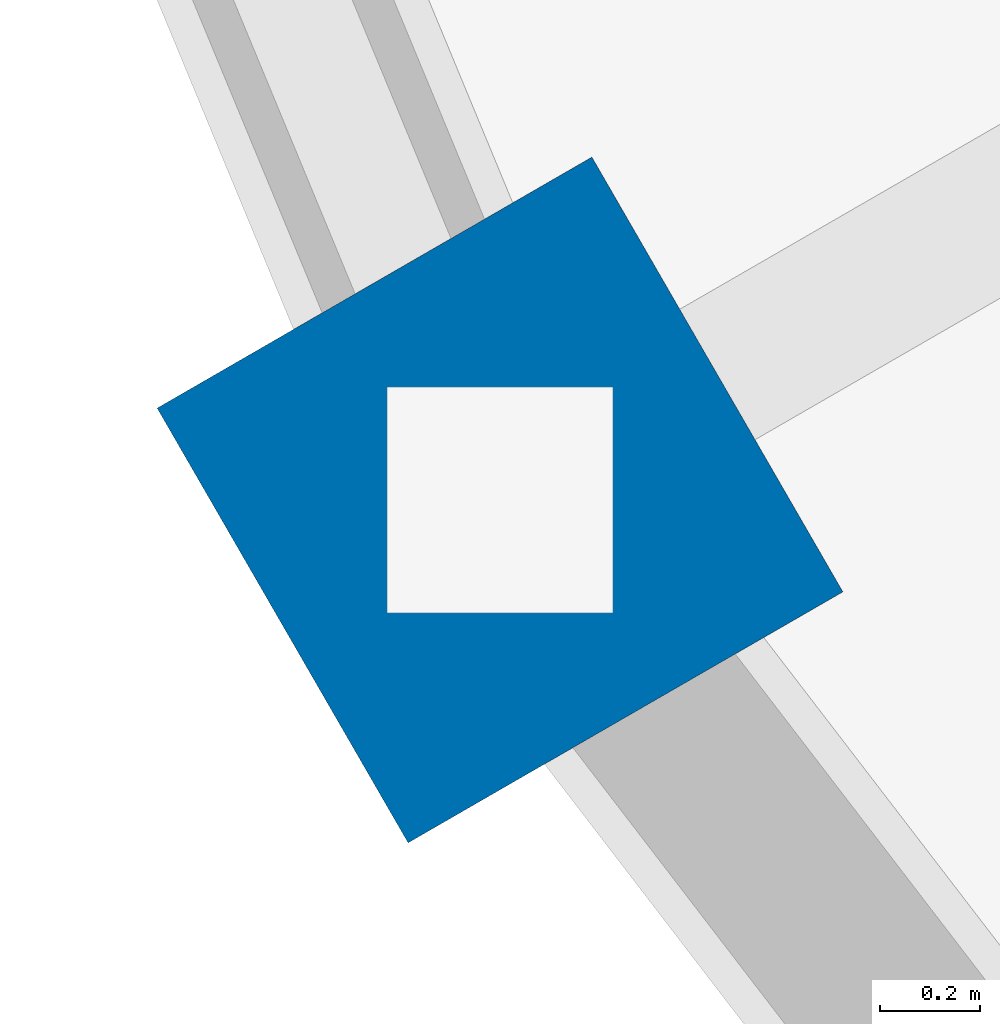
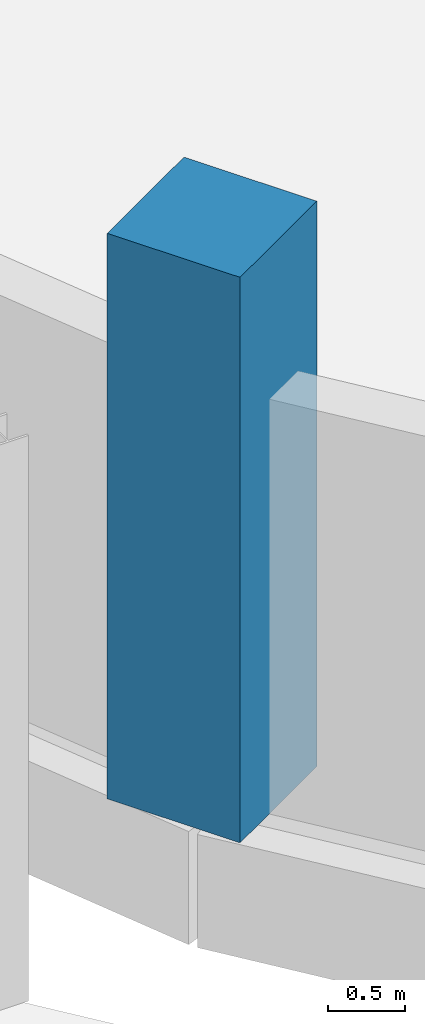
# One storey, part 3 of 122: 1 column.
"""IFC4 building model written with IfcOpenShell, lengths in metres."""

from ifc_helpers import new_model, si_unit, direction, frame, origin, origin_2d, place, context, subcontext, project, spatial, rectangle, extrude, material, material_profile, profile_set, type_object, element, save


model = new_model("IFC4")

# Units and contexts
model_context = context("Model", 3, precision=1e-05, world=origin(), true_north=direction((0.0, 1.0)))
body_context = subcontext(model_context, "Body", "Model", "MODEL_VIEW")
ifc_project = project(units=[si_unit("LENGTHUNIT", "METRE"), si_unit("AREAUNIT", "SQUARE_METRE"), si_unit("VOLUMEUNIT", "CUBIC_METRE"), si_unit("PLANEANGLEUNIT", "RADIAN"), si_unit("MASSUNIT", "GRAM", prefix="KILO")], contexts=[model_context])

# Site, building, storey
site_placement = place(None, origin())
site = spatial("IfcSite", under=ifc_project, at=site_placement, CompositionType="ELEMENT")
building_placement = place(site_placement, origin())
building = spatial("IfcBuilding", under=site, at=building_placement, Name="Sohan Crest Arena", CompositionType="ELEMENT")
storey_placement = place(building_placement, origin())
storey = spatial("IfcBuildingStorey", under=building, at=storey_placement, Name="L00", CompositionType="ELEMENT", Elevation=0.0)

# Column
ifc_material = material(Name="Concrete C40/50", Category="concrete")
ifc_material_profile = material_profile(ifc_material, rectangle(XDim=1.0, YDim=1.0, at=origin_2d()), Name="RC 1000x1000")
ifc_profile_set = profile_set([ifc_material_profile], Name="Concrete C40/50")
column_type = type_object("IfcColumnType", Name="STR-COL-C09", PredefinedType="COLUMN", material=ifc_profile_set)
column_placement = place(storey_placement, frame((71.153076171875, 62.5, 0.0), z_axis=(0.0, 0.0, 1.0), x_axis=(0.866025403784, 0.5, 0.0)))
element("IfcColumn", 1, at=column_placement, inside=storey, type_object=column_type, Name="Structural column COL-V1R-09-L00", PredefinedType="COLUMN", context=body_context, shape_type="SweptSolid", body=[
    extrude(rectangle(XDim=1.0, YDim=1.0, at=origin_2d()), origin(), (0.0, 0.0, 1.0), 4.5),
])

save(model, "model.ifc")
